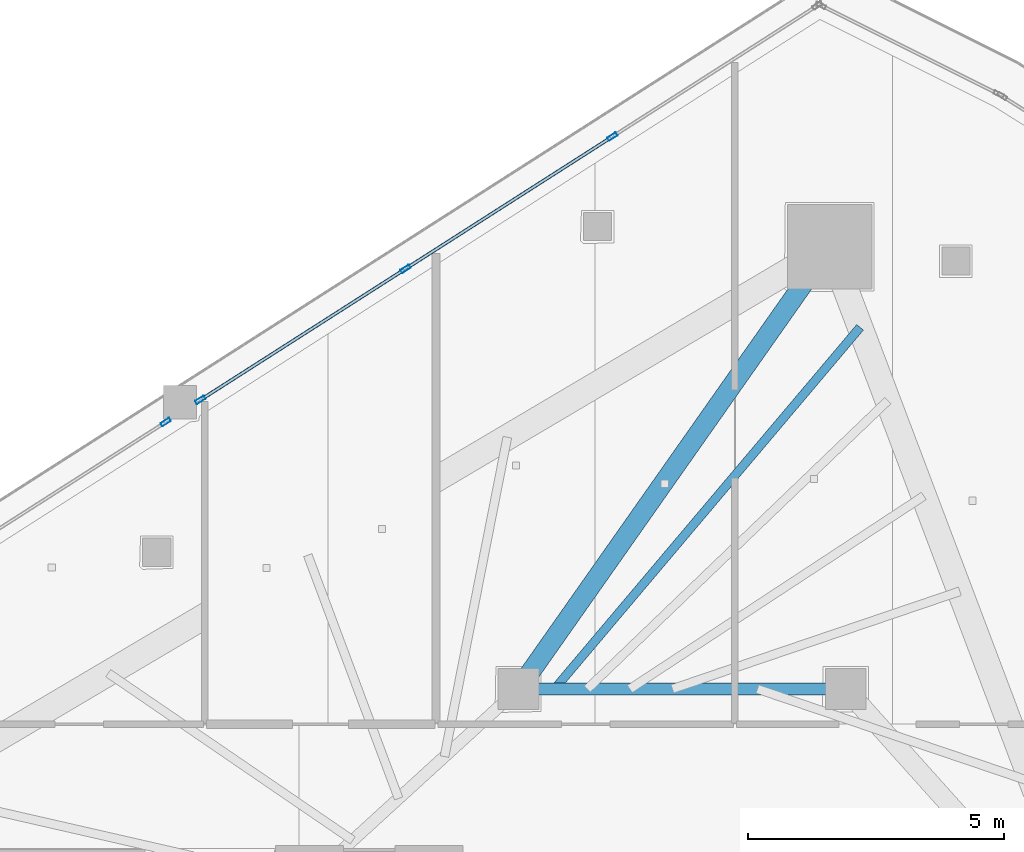
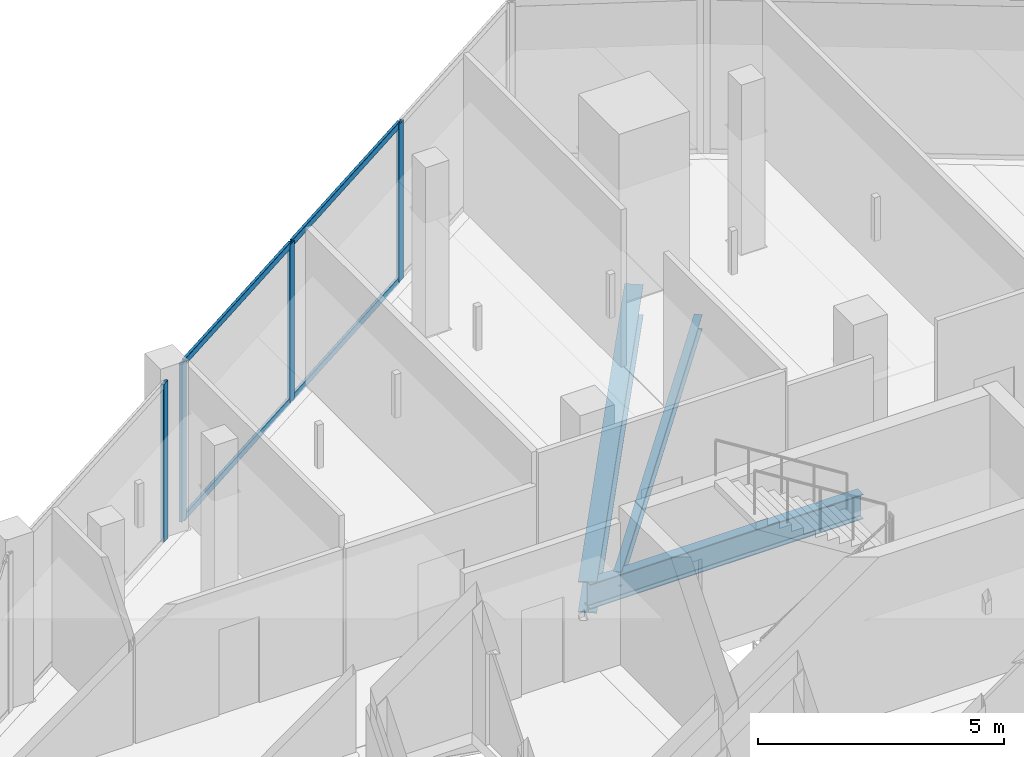
# One storey, part 18 of 33: 8 members, 3 beams, 2 elements without a shape of their own.
"""IFC4 building model written with IfcOpenShell, lengths in metres."""

from ifc_helpers import new_model, si_unit, direction, frame, origin, origin_2d, place, context, subcontext, project, spatial, hollow_rectangle, i_section, extrude, material, layer, layer_set, material_profile, profile_set, type_object, element, aggregate, save


model = new_model("IFC4")

# Units and contexts
model_context = context("Model", 3, precision=1e-05, world=origin(), true_north=direction((0.0, 1.0)))
body_context = subcontext(model_context, "Body", "Model", "MODEL_VIEW")
ifc_project = project(units=[si_unit("LENGTHUNIT", "METRE"), si_unit("AREAUNIT", "SQUARE_METRE"), si_unit("VOLUMEUNIT", "CUBIC_METRE"), si_unit("PLANEANGLEUNIT", "RADIAN"), si_unit("MASSUNIT", "GRAM", prefix="KILO")], contexts=[model_context])

# Site, building, storey
site_placement = place(None, origin())
site = spatial("IfcSite", under=ifc_project, at=site_placement, CompositionType="ELEMENT")
building_placement = place(site_placement, origin())
building = spatial("IfcBuilding", under=site, at=building_placement, Name="Qorvath Tower", CompositionType="ELEMENT")
storey_placement = place(building_placement, frame((0.0, 0.0, 280.800048828125)))
storey = spatial("IfcBuildingStorey", under=building, at=storey_placement, Name="L65", CompositionType="ELEMENT", Elevation=280.800048828125)

# Beams
ifc_material_1 = material(Name="Steel ASTM A992 Grade 50", Category="steel")
ifc_material_profile_1 = material_profile(ifc_material_1, i_section(OverallWidth=0.381103515625, OverallDepth=0.77294921875, WebThickness=0.0166015625, FlangeThickness=0.027099609375, FilletRadius=0.01904296875, at=origin_2d()), Name="W30x173")
ifc_profile_set_1 = profile_set([ifc_material_profile_1], Name="Steel ASTM A992 Grade 50")
beam_type_1 = type_object("IfcBeamType", Name="BM-FG3", PredefinedType="BEAM", material=ifc_profile_set_1)
beam_1_placement = place(storey_placement, frame((-23.60009765625, 11.449951171875, -0.676513671875), z_axis=(0.575274974004, 0.81796008722, 0.0), x_axis=(-0.81796008722, 0.575274974004, 0.0)))
element("IfcBeam", 1, at=beam_1_placement, inside=storey, type_object=beam_type_1, Name="Radial Floor Girder CC1-MC6 L65", PredefinedType="BEAM", context=body_context, shape_type="SweptSolid", body=[
    extrude(i_section(OverallWidth=0.381103515625, OverallDepth=0.77294921875, WebThickness=0.0166015625, FlangeThickness=0.027099609375, FilletRadius=0.01904296875, at=origin_2d()), origin(), (0.0, 0.0, 1.0), 10.5771484375),
])
ifc_material_2 = material(Name="Steel ASTM A992 Grade 50", Category="steel")
ifc_material_profile_2 = material_profile(ifc_material_2, i_section(OverallWidth=0.22998046875, OverallDepth=0.616943359375, WebThickness=0.01318359375, FlangeThickness=0.022216796875, FilletRadius=0.014892578125, at=origin_2d()), Name="W24x94")
ifc_profile_set_2 = profile_set([ifc_material_profile_2], Name="Steel ASTM A992 Grade 50")
beam_type_2 = type_object("IfcBeamType", Name="BM-FG6", PredefinedType="BEAM", material=ifc_profile_set_2)
beam_2_placement = place(storey_placement, frame((-23.60009765625, 11.449951171875, -0.5986328125), z_axis=(1.0, 0.0, 0.0), x_axis=(0.0, 1.0, 0.0)))
element("IfcBeam", 2, at=beam_2_placement, inside=storey, type_object=beam_type_2, Name="Core Ring Girder CC1-CC2 L65", PredefinedType="BEAM", context=body_context, shape_type="SweptSolid", body=[
    extrude(i_section(OverallWidth=0.22998046875, OverallDepth=0.616943359375, WebThickness=0.01318359375, FlangeThickness=0.022216796875, FilletRadius=0.014892578125, at=origin_2d()), origin(), (0.0, 0.0, 1.0), 6.400146484375),
])
ifc_material_3 = material(Name="Steel ASTM A992 Grade 50", Category="steel")
ifc_material_profile_3 = material_profile(ifc_material_3, i_section(OverallWidth=0.1708984375, OverallDepth=0.35107421875, WebThickness=0.0068359375, FlangeThickness=0.009765625, FilletRadius=0.010009765625, at=origin_2d()), Name="W14x30")
ifc_profile_set_3 = profile_set([ifc_material_profile_3], Name="Steel ASTM A992 Grade 50")
beam_type_3 = type_object("IfcBeamType", Name="BM-FJ4", PredefinedType="JOIST", material=ifc_profile_set_3)
beam_3_placement = place(storey_placement, frame((-22.89599609375, 11.449951171875, -0.465576171875), z_axis=(0.645381885676, 0.763860079885, 0.0), x_axis=(-0.763860079885, 0.645381885676, 0.0)))
element("IfcBeam", 3, at=beam_3_placement, inside=storey, type_object=beam_type_3, Name="Composite Floor Joist NE7 L65", PredefinedType="JOIST", context=body_context, shape_type="SweptSolid", body=[
    extrude(i_section(OverallWidth=0.1708984375, OverallDepth=0.35107421875, WebThickness=0.0068359375, FlangeThickness=0.009765625, FilletRadius=0.010009765625, at=origin_2d()), origin(), (0.0, 0.0, 1.0), 9.260498046875),
])

# Curtain wall, members
ifc_material_4 = material(Name="Anodised aluminium and triple low-E glass", Category="aluminium")
ifc_layer = layer(ifc_material_4, 0.179931640625)
ifc_layer_set = layer_set([ifc_layer], Name="CW-SYS-4")
curtain_wall_type = type_object("IfcCurtainWallType", Name="CW-SYS-4", PredefinedType="NOTDEFINED", material=ifc_layer_set)
curtain_wall_1_placement = place(storey_placement, origin())
curtain_wall_1 = element("IfcCurtainWall", 4, at=curtain_wall_1_placement, inside=storey, type_object=curtain_wall_type, Name="Curtain Wall CW-4 CW-T-L65-16.1", PredefinedType="NOTDEFINED")
ifc_material_5 = material(Name="Anodised aluminium 6063-T6", Category="aluminium")
ifc_material_profile_4 = material_profile(ifc_material_5, hollow_rectangle(XDim=0.074951171875, YDim=0.199951171875, WallThickness=0.00390625, InnerFilletRadius=0.00390625, OuterFilletRadius=0.008056640625, at=origin_2d()), Name="CWM 200x75")
ifc_profile_set_4 = profile_set([ifc_material_profile_4], Name="Anodised aluminium 6063-T6")
member_type_1 = type_object("IfcMemberType", Name="CWM-200", PredefinedType="MULLION", material=ifc_profile_set_4)
member_1_placement = place(storey_placement, frame((-21.765380859375, 22.252685546875, 0.0), z_axis=(0.0, 0.0, 1.0), x_axis=(0.538533780169, -0.84260392096, 0.0)))
member_1 = element("IfcMember", 5, at=member_1_placement, type_object=member_type_1, Name="CW-4 mullion 2", PredefinedType="MULLION", context=body_context, shape_type="SweptSolid", body=[
    extrude(hollow_rectangle(XDim=0.074951171875, YDim=0.199951171875, WallThickness=0.00390625, InnerFilletRadius=0.00390625, OuterFilletRadius=0.008056640625, at=origin_2d()), origin(), (0.0, 0.0, 1.0), 3.909912109375),
])
member_2_placement = place(storey_placement, frame((-25.810302734375, 19.667724609375, 0.0), z_axis=(0.0, 0.0, 1.0), x_axis=(0.538533780169, -0.84260392096, 0.0)))
member_2 = element("IfcMember", 6, at=member_2_placement, type_object=member_type_1, Name="CW-4 mullion 3", PredefinedType="MULLION", context=body_context, shape_type="SweptSolid", body=[
    extrude(hollow_rectangle(XDim=0.074951171875, YDim=0.199951171875, WallThickness=0.00390625, InnerFilletRadius=0.00390625, OuterFilletRadius=0.008056640625, at=origin_2d()), origin(), (0.0, 0.0, 1.0), 3.909912109375),
])
member_3_placement = place(storey_placement, frame((-29.823486328125, 17.102783203125, 0.0), z_axis=(0.0, 0.0, 1.0), x_axis=(0.538533780169, -0.84260392096, 0.0)))
member_3 = element("IfcMember", 7, at=member_3_placement, type_object=member_type_1, Name="CW-4 mullion 4", PredefinedType="MULLION", context=body_context, shape_type="SweptSolid", body=[
    extrude(hollow_rectangle(XDim=0.074951171875, YDim=0.199951171875, WallThickness=0.00390625, InnerFilletRadius=0.00390625, OuterFilletRadius=0.008056640625, at=origin_2d()), origin(), (0.0, 0.0, 1.0), 3.909912109375),
])

# Curtain wall, member
curtain_wall_2_placement = place(storey_placement, origin())
curtain_wall_2 = element("IfcCurtainWall", 8, at=curtain_wall_2_placement, inside=storey, type_object=curtain_wall_type, Name="Curtain Wall CW-4 CW-T-L65-16.2", PredefinedType="NOTDEFINED")
member_4_placement = place(storey_placement, frame((-30.501220703125, 16.66943359375, 0.0), z_axis=(0.0, 0.0, 1.0), x_axis=(0.538556416763, -0.842589452796, 0.0)))
member_4 = element("IfcMember", 9, at=member_4_placement, type_object=member_type_1, Name="CW-4 mullion 1", PredefinedType="MULLION", context=body_context, shape_type="SweptSolid", body=[
    extrude(hollow_rectangle(XDim=0.074951171875, YDim=0.199951171875, WallThickness=0.00390625, InnerFilletRadius=0.00390625, OuterFilletRadius=0.008056640625, at=origin_2d()), origin(), (0.0, 0.0, 1.0), 3.909912109375),
])
aggregate(curtain_wall_2, [member_4])

# Member
ifc_material_6 = material(Name="Anodised aluminium 6063-T6", Category="aluminium")
ifc_material_profile_5 = material_profile(ifc_material_6, hollow_rectangle(XDim=0.06494140625, YDim=0.159912109375, WallThickness=0.00341796875, InnerFilletRadius=0.00341796875, OuterFilletRadius=0.007080078125, at=origin_2d()), Name="CWT 160x65")
ifc_profile_set_5 = profile_set([ifc_material_profile_5], Name="Anodised aluminium 6063-T6")
member_type_2 = type_object("IfcMemberType", Name="CWT-160", PredefinedType="USERDEFINED", material=ifc_profile_set_5)
member_5_placement = place(storey_placement, frame((-21.797119140625, 22.232666015625, 0.032470703125), z_axis=(-0.842579034499, -0.538572716189, 0.0), x_axis=(0.538572716189, -0.842579034499, 0.0)))
member_5 = element("IfcMember", 10, at=member_5_placement, type_object=member_type_2, Name="CW-4 transom 2.1", ObjectType="TRANSOM", PredefinedType="USERDEFINED", context=body_context, shape_type="SweptSolid", body=[
    extrude(hollow_rectangle(XDim=0.06494140625, YDim=0.159912109375, WallThickness=0.00341796875, InnerFilletRadius=0.00341796875, OuterFilletRadius=0.007080078125, at=origin_2d()), origin(), (0.0, 0.0, 1.0), 4.725341796875),
])

member_6_placement = place(storey_placement, frame((-21.797119140625, 22.232666015625, 3.87744140625), z_axis=(-0.842579034499, -0.538572716189, 0.0), x_axis=(0.538572716189, -0.842579034499, 0.0)))
member_6 = element("IfcMember", 11, at=member_6_placement, type_object=member_type_2, Name="CW-4 transom 2.2", ObjectType="TRANSOM", PredefinedType="USERDEFINED", context=body_context, shape_type="SweptSolid", body=[
    extrude(hollow_rectangle(XDim=0.06494140625, YDim=0.159912109375, WallThickness=0.00341796875, InnerFilletRadius=0.00341796875, OuterFilletRadius=0.007080078125, at=origin_2d()), origin(), (0.0, 0.0, 1.0), 4.725341796875),
])

member_7_placement = place(storey_placement, frame((-25.841796875, 19.6474609375, 0.032470703125), z_axis=(-0.842591885515, -0.538552610675, 0.0), x_axis=(0.538552610675, -0.842591885515, 0.0)))
member_7 = element("IfcMember", 12, at=member_7_placement, type_object=member_type_2, Name="CW-4 transom 3.1", ObjectType="TRANSOM", PredefinedType="USERDEFINED", context=body_context, shape_type="SweptSolid", body=[
    extrude(hollow_rectangle(XDim=0.06494140625, YDim=0.159912109375, WallThickness=0.00341796875, InnerFilletRadius=0.00341796875, OuterFilletRadius=0.007080078125, at=origin_2d()), origin(), (0.0, 0.0, 1.0), 4.687744140625),
])

member_8_placement = place(storey_placement, frame((-25.841796875, 19.6474609375, 3.87744140625), z_axis=(-0.842591885515, -0.538552610675, 0.0), x_axis=(0.538552610675, -0.842591885515, 0.0)))
member_8 = element("IfcMember", 13, at=member_8_placement, type_object=member_type_2, Name="CW-4 transom 3.2", ObjectType="TRANSOM", PredefinedType="USERDEFINED", context=body_context, shape_type="SweptSolid", body=[
    extrude(hollow_rectangle(XDim=0.06494140625, YDim=0.159912109375, WallThickness=0.00341796875, InnerFilletRadius=0.00341796875, OuterFilletRadius=0.007080078125, at=origin_2d()), origin(), (0.0, 0.0, 1.0), 4.687744140625),
])

aggregate(curtain_wall_1, [member_1, member_2, member_3, member_5, member_6, member_7, member_8])

save(model, "model.ifc")
